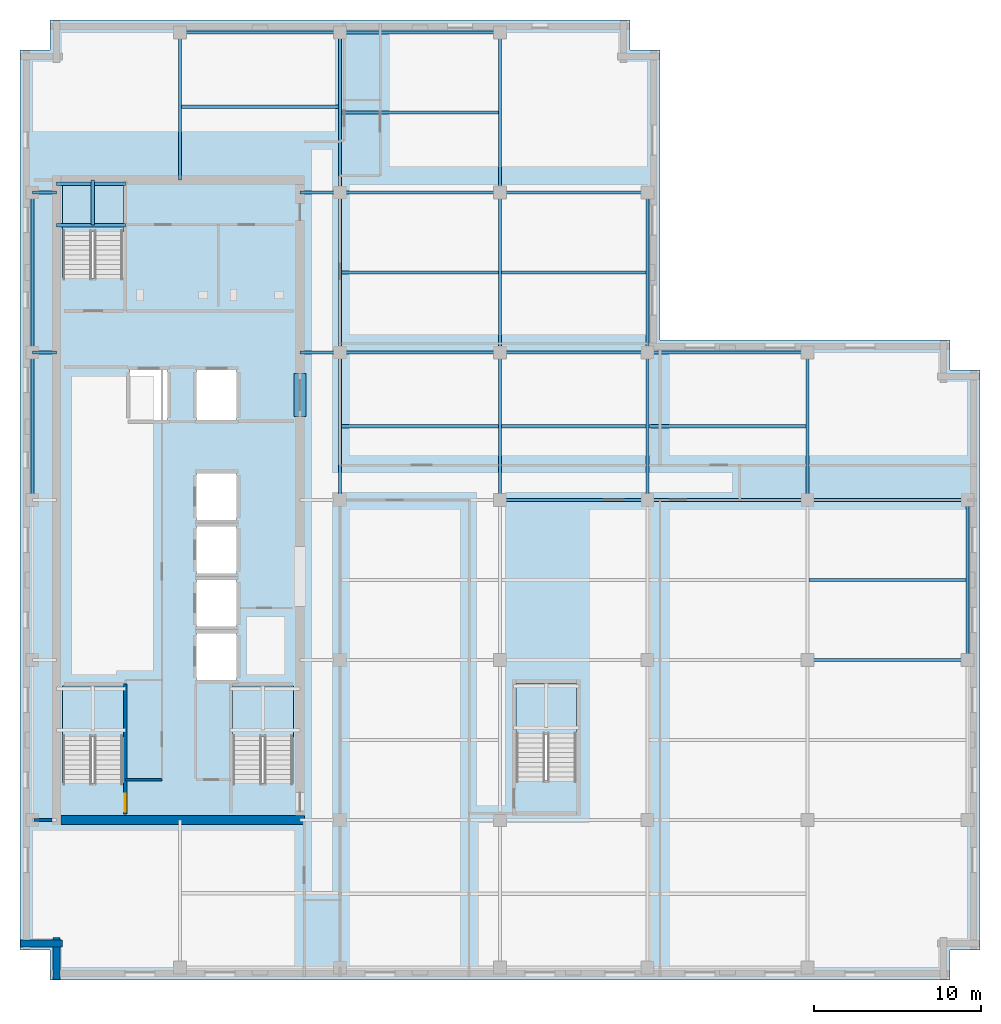
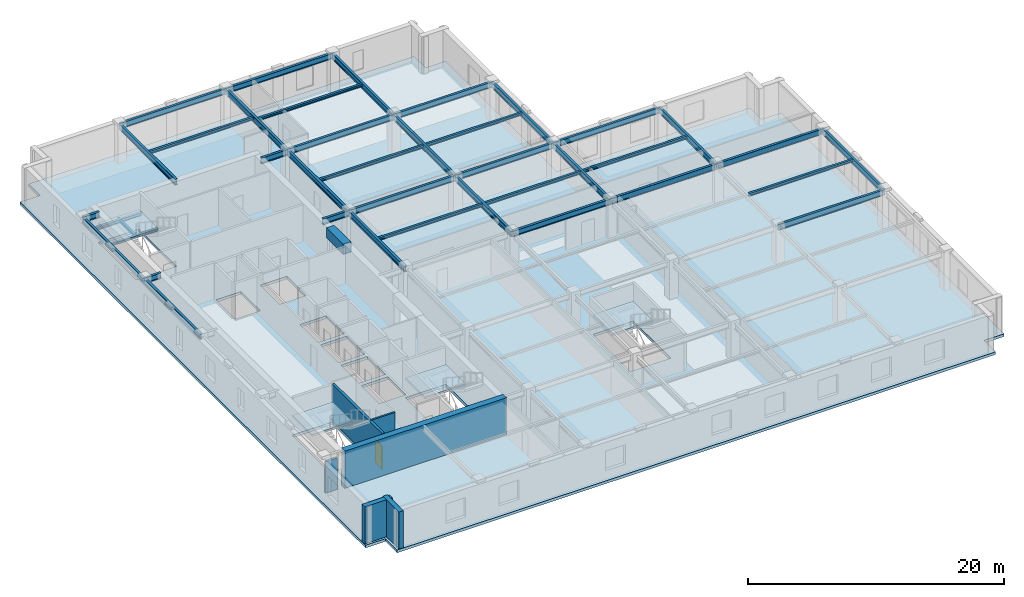
# One storey, part 2 of 12: 40 beams, 6 walls, 5 slabs, 1 door, 1 opening, 4 elements without a shape of their own.
"""IFC4 building model written with IfcOpenShell, lengths in metres."""

from ifc_helpers import new_model, si_unit, direction, frame, frame_2d, origin, origin_2d, place, context, subcontext, project, spatial, polyline, rectangle, i_section, outline, extrude, material, layer, layer_set, material_profile, profile_set, type_object, element, fill, aggregate, save


model = new_model("IFC4")

# Units and contexts
model_context = context("Model", 3, precision=1e-05, world=origin(), true_north=direction((0.0, 1.0)))
body_context = subcontext(model_context, "Body", "Model", "MODEL_VIEW")
ifc_project = project(units=[si_unit("LENGTHUNIT", "METRE"), si_unit("AREAUNIT", "SQUARE_METRE"), si_unit("VOLUMEUNIT", "CUBIC_METRE"), si_unit("PLANEANGLEUNIT", "RADIAN"), si_unit("MASSUNIT", "GRAM", prefix="KILO")], contexts=[model_context])

# Site, building, storey
site_placement = place(None, origin())
site = spatial("IfcSite", under=ifc_project, at=site_placement, CompositionType="ELEMENT")
building_placement = place(site_placement, origin())
building = spatial("IfcBuilding", under=site, at=building_placement, Name="Norrvale University Quadrangle", CompositionType="ELEMENT")
storey_placement = place(building_placement, frame((0.0, 0.0, 244.60009765625)))
storey = spatial("IfcBuildingStorey", under=building, at=storey_placement, Name="L62", CompositionType="ELEMENT", Elevation=244.60009765625)

# Beams
ifc_material_1 = material(Name="Concrete C80/95", Category="concrete")
ifc_material_profile_1 = material_profile(ifc_material_1, rectangle(XDim=0.699951171875, YDim=0.949951171875, at=origin_2d()), Name="Concrete C80/95")
ifc_profile_set_1 = profile_set([ifc_material_profile_1], Name="Concrete C80/95")
beam_type_1 = type_object("IfcBeamType", Name="Beam Core Link 700x950", PredefinedType="LINTEL", material=ifc_profile_set_1)
beam_1_placement = place(storey_placement, frame((16.800048828125, 33.800048828125, 3.06494140625), z_axis=(0.0, 1.0, 0.0), x_axis=(-1.0, 0.0, 0.0)))
element("IfcBeam", 1, at=beam_1_placement, inside=storey, type_object=beam_type_1, Name="Core Coupling Lintel Beam L62-2", PredefinedType="LINTEL", context=body_context, shape_type="SweptSolid", body=[
    extrude(rectangle(XDim=0.699951171875, YDim=0.949951171875, at=origin_2d()), origin(), (0.0, 0.0, 1.0), 2.599853515625),
])
ifc_material_2 = material(Name="Steel 350W", Category="steel")
ifc_material_profile_2 = material_profile(ifc_material_2, i_section(OverallWidth=0.208984375, OverallDepth=0.532958984375, WebThickness=0.01025390625, FlangeThickness=0.015625, FilletRadius=0.013916015625, at=origin_2d()), Name="Steel 350W")
ifc_profile_set_2 = profile_set([ifc_material_profile_2], Name="Steel 350W")
beam_type_2 = type_object("IfcBeamType", Name="Beam Floor W530x92", PredefinedType="JOIST", material=ifc_profile_set_2)
beam_2_placement = place(storey_placement, frame((47.25, 19.199951171875, 3.2734375), z_axis=(1.0, 0.0, 0.0), x_axis=(0.0, 1.0, 0.0)))
element("IfcBeam", 2, at=beam_2_placement, inside=storey, type_object=beam_type_2, Name="Beam Floor W530x92 BM-L62-GX012", PredefinedType="JOIST", context=body_context, shape_type="SweptSolid", body=[
    extrude(i_section(OverallWidth=0.208984375, OverallDepth=0.532958984375, WebThickness=0.01025390625, FlangeThickness=0.015625, FilletRadius=0.013916015625, at=origin_2d()), origin(), (0.0, 0.0, 1.0), 9.60009765625),
])
beam_3_placement = place(storey_placement, frame((28.800048828125, 28.800048828125, 3.2734375), z_axis=(1.0, 0.0, 0.0), x_axis=(0.0, 1.0, 0.0)))
element("IfcBeam", 3, at=beam_3_placement, inside=storey, type_object=beam_type_2, Name="Beam Floor W530x92 BM-L62-GX014", PredefinedType="JOIST", context=body_context, shape_type="SweptSolid", body=[
    extrude(i_section(OverallWidth=0.208984375, OverallDepth=0.532958984375, WebThickness=0.01025390625, FlangeThickness=0.015625, FilletRadius=0.013916015625, at=origin_2d()), origin(), (0.0, 0.0, 1.0), 8.849853515625),
])
for number, where, z_axis, x_axis, name in (
    (4, (37.64990234375, 28.800048828125, 3.2734375), (1.0, 0.0, 0.0), (0.0, 1.0, 0.0), "Beam Floor W530x92 BM-L62-GX015"),
    (5, (47.25, 28.800048828125, 3.2734375), (1.0, 0.0, 0.0), (0.0, 1.0, 0.0), "Beam Floor W530x92 BM-L62-GX016"),
    (6, (19.199951171875, 37.64990234375, 3.2734375), (1.0, 0.0, 0.0), (0.0, 1.0, 0.0), "Beam Floor W530x92 BM-L62-GX017"),
):
    element("IfcBeam", number, at=place(storey_placement, frame(where, z_axis=z_axis, x_axis=x_axis)), inside=storey, type_object=beam_type_2, Name=name, PredefinedType="JOIST", context=body_context, shape_type="SweptSolid", body=[
        extrude(i_section(OverallWidth=0.208984375, OverallDepth=0.532958984375, WebThickness=0.01025390625, FlangeThickness=0.015625, FilletRadius=0.013916015625, at=origin_2d()), origin(), (0.0, 0.0, 1.0), 9.60009765625),
    ])
beam_4_placement = place(storey_placement, frame((28.800048828125, 37.64990234375, 3.2734375), z_axis=(1.0, 0.0, 0.0), x_axis=(0.0, 1.0, 0.0)))
element("IfcBeam", 7, at=beam_4_placement, inside=storey, type_object=beam_type_2, Name="Beam Floor W530x92 BM-L62-GX018", PredefinedType="JOIST", context=body_context, shape_type="SweptSolid", body=[
    extrude(i_section(OverallWidth=0.208984375, OverallDepth=0.532958984375, WebThickness=0.01025390625, FlangeThickness=0.015625, FilletRadius=0.013916015625, at=origin_2d()), origin(), (0.0, 0.0, 1.0), 8.849853515625),
])
for number, where, z_axis, x_axis, name in (
    (8, (37.64990234375, 37.64990234375, 3.2734375), (1.0, 0.0, 0.0), (0.0, 1.0, 0.0), "Beam Floor W530x92 BM-L62-GX019"),
    (9, (19.199951171875, 47.25, 3.2734375), (1.0, 0.0, 0.0), (0.0, 1.0, 0.0), "Beam Floor W530x92 BM-L62-GX020"),
):
    element("IfcBeam", number, at=place(storey_placement, frame(where, z_axis=z_axis, x_axis=x_axis)), inside=storey, type_object=beam_type_2, Name=name, PredefinedType="JOIST", context=body_context, shape_type="SweptSolid", body=[
        extrude(i_section(OverallWidth=0.208984375, OverallDepth=0.532958984375, WebThickness=0.01025390625, FlangeThickness=0.015625, FilletRadius=0.013916015625, at=origin_2d()), origin(), (0.0, 0.0, 1.0), 9.60009765625),
    ])
beam_5_placement = place(storey_placement, frame((28.800048828125, 47.25, 3.2734375), z_axis=(1.0, 0.0, 0.0), x_axis=(0.0, 1.0, 0.0)))
element("IfcBeam", 10, at=beam_5_placement, inside=storey, type_object=beam_type_2, Name="Beam Floor W530x92 BM-L62-GX021", PredefinedType="JOIST", context=body_context, shape_type="SweptSolid", body=[
    extrude(i_section(OverallWidth=0.208984375, OverallDepth=0.532958984375, WebThickness=0.01025390625, FlangeThickness=0.015625, FilletRadius=0.013916015625, at=origin_2d()), origin(), (0.0, 0.0, 1.0), 8.849853515625),
])
beam_6_placement = place(storey_placement, frame((9.60009765625, 56.85009765625, 3.2734375), z_axis=(1.0, 0.0, 0.0), x_axis=(0.0, 1.0, 0.0)))
element("IfcBeam", 11, at=beam_6_placement, inside=storey, type_object=beam_type_2, Name="Beam Floor W530x92 BM-L62-GX022", PredefinedType="JOIST", context=body_context, shape_type="SweptSolid", body=[
    extrude(i_section(OverallWidth=0.208984375, OverallDepth=0.532958984375, WebThickness=0.01025390625, FlangeThickness=0.015625, FilletRadius=0.013916015625, at=origin_2d()), origin(), (0.0, 0.0, 1.0), 9.599853515625),
])
beam_7_placement = place(storey_placement, frame((19.199951171875, 56.85009765625, 3.2734375), z_axis=(1.0, 0.0, 0.0), x_axis=(0.0, 1.0, 0.0)))
element("IfcBeam", 12, at=beam_7_placement, inside=storey, type_object=beam_type_2, Name="Beam Floor W530x92 BM-L62-GX023", PredefinedType="JOIST", context=body_context, shape_type="SweptSolid", body=[
    extrude(i_section(OverallWidth=0.208984375, OverallDepth=0.532958984375, WebThickness=0.01025390625, FlangeThickness=0.015625, FilletRadius=0.013916015625, at=origin_2d()), origin(), (0.0, 0.0, 1.0), 9.60009765625),
])
beam_8_placement = place(storey_placement, frame((0.75, 28.800048828125, 3.2734375), z_axis=(0.0, 1.0, 0.0), x_axis=(-1.0, 0.0, 0.0)))
element("IfcBeam", 13, at=beam_8_placement, inside=storey, type_object=beam_type_2, Name="Beam Floor W530x92 BM-L62-GY026", PredefinedType="JOIST", context=body_context, shape_type="SweptSolid", body=[
    extrude(i_section(OverallWidth=0.208984375, OverallDepth=0.532958984375, WebThickness=0.01025390625, FlangeThickness=0.015625, FilletRadius=0.013916015625, at=origin_2d()), origin(), (0.0, 0.0, 1.0), 8.849853515625),
])
beam_9_placement = place(storey_placement, frame((0.75, 37.64990234375, 3.2734375), z_axis=(0.0, 1.0, 0.0), x_axis=(-1.0, 0.0, 0.0)))
element("IfcBeam", 14, at=beam_9_placement, inside=storey, type_object=beam_type_2, Name="Beam Floor W530x92 BM-L62-GY027", PredefinedType="JOIST", context=body_context, shape_type="SweptSolid", body=[
    extrude(i_section(OverallWidth=0.208984375, OverallDepth=0.532958984375, WebThickness=0.01025390625, FlangeThickness=0.015625, FilletRadius=0.013916015625, at=origin_2d()), origin(), (0.0, 0.0, 1.0), 9.60009765625),
])
beam_10_placement = place(storey_placement, frame((19.199951171875, 28.800048828125, 3.2734375), z_axis=(0.0, 1.0, 0.0), x_axis=(-1.0, 0.0, 0.0)))
element("IfcBeam", 15, at=beam_10_placement, inside=storey, type_object=beam_type_2, Name="Beam Floor W530x92 BM-L62-GY031", PredefinedType="JOIST", context=body_context, shape_type="SweptSolid", body=[
    extrude(i_section(OverallWidth=0.208984375, OverallDepth=0.532958984375, WebThickness=0.01025390625, FlangeThickness=0.015625, FilletRadius=0.013916015625, at=origin_2d()), origin(), (0.0, 0.0, 1.0), 8.849853515625),
])
for number, where, z_axis, x_axis, name in (
    (16, (19.199951171875, 37.64990234375, 3.2734375), (0.0, 1.0, 0.0), (-1.0, 0.0, 0.0), "Beam Floor W530x92 BM-L62-GY032"),
    (17, (19.199951171875, 47.25, 3.2734375), (0.0, 1.0, 0.0), (-1.0, 0.0, 0.0), "Beam Floor W530x92 BM-L62-GY033"),
):
    element("IfcBeam", number, at=place(storey_placement, frame(where, z_axis=z_axis, x_axis=x_axis)), inside=storey, type_object=beam_type_2, Name=name, PredefinedType="JOIST", context=body_context, shape_type="SweptSolid", body=[
        extrude(i_section(OverallWidth=0.208984375, OverallDepth=0.532958984375, WebThickness=0.01025390625, FlangeThickness=0.015625, FilletRadius=0.013916015625, at=origin_2d()), origin(), (0.0, 0.0, 1.0), 9.60009765625),
    ])
beam_11_placement = place(storey_placement, frame((28.800048828125, 28.800048828125, 3.2734375), z_axis=(0.0, 1.0, 0.0), x_axis=(-1.0, 0.0, 0.0)))
element("IfcBeam", 18, at=beam_11_placement, inside=storey, type_object=beam_type_2, Name="Beam Floor W530x92 BM-L62-GY037", PredefinedType="JOIST", context=body_context, shape_type="SweptSolid", body=[
    extrude(i_section(OverallWidth=0.208984375, OverallDepth=0.532958984375, WebThickness=0.01025390625, FlangeThickness=0.015625, FilletRadius=0.013916015625, at=origin_2d()), origin(), (0.0, 0.0, 1.0), 8.849853515625),
])
for number, where, z_axis, x_axis, name in (
    (19, (28.800048828125, 37.64990234375, 3.2734375), (0.0, 1.0, 0.0), (-1.0, 0.0, 0.0), "Beam Floor W530x92 BM-L62-GY038"),
    (20, (28.800048828125, 47.25, 3.2734375), (0.0, 1.0, 0.0), (-1.0, 0.0, 0.0), "Beam Floor W530x92 BM-L62-GY039"),
):
    element("IfcBeam", number, at=place(storey_placement, frame(where, z_axis=z_axis, x_axis=x_axis)), inside=storey, type_object=beam_type_2, Name=name, PredefinedType="JOIST", context=body_context, shape_type="SweptSolid", body=[
        extrude(i_section(OverallWidth=0.208984375, OverallDepth=0.532958984375, WebThickness=0.01025390625, FlangeThickness=0.015625, FilletRadius=0.013916015625, at=origin_2d()), origin(), (0.0, 0.0, 1.0), 9.60009765625),
    ])
beam_12_placement = place(storey_placement, frame((37.64990234375, 28.800048828125, 3.2734375), z_axis=(0.0, 1.0, 0.0), x_axis=(-1.0, 0.0, 0.0)))
element("IfcBeam", 21, at=beam_12_placement, inside=storey, type_object=beam_type_2, Name="Beam Floor W530x92 BM-L62-GY043", PredefinedType="JOIST", context=body_context, shape_type="SweptSolid", body=[
    extrude(i_section(OverallWidth=0.208984375, OverallDepth=0.532958984375, WebThickness=0.01025390625, FlangeThickness=0.015625, FilletRadius=0.013916015625, at=origin_2d()), origin(), (0.0, 0.0, 1.0), 8.849853515625),
])
beam_13_placement = place(storey_placement, frame((37.64990234375, 37.64990234375, 3.2734375), z_axis=(0.0, 1.0, 0.0), x_axis=(-1.0, 0.0, 0.0)))
element("IfcBeam", 22, at=beam_13_placement, inside=storey, type_object=beam_type_2, Name="Beam Floor W530x92 BM-L62-GY044", PredefinedType="JOIST", context=body_context, shape_type="SweptSolid", body=[
    extrude(i_section(OverallWidth=0.208984375, OverallDepth=0.532958984375, WebThickness=0.01025390625, FlangeThickness=0.015625, FilletRadius=0.013916015625, at=origin_2d()), origin(), (0.0, 0.0, 1.0), 9.60009765625),
])
beam_14_placement = place(storey_placement, frame((47.25, 28.800048828125, 3.2734375), z_axis=(0.0, 1.0, 0.0), x_axis=(-1.0, 0.0, 0.0)))
element("IfcBeam", 23, at=beam_14_placement, inside=storey, type_object=beam_type_2, Name="Beam Floor W530x92 BM-L62-GY048", PredefinedType="JOIST", context=body_context, shape_type="SweptSolid", body=[
    extrude(i_section(OverallWidth=0.208984375, OverallDepth=0.532958984375, WebThickness=0.01025390625, FlangeThickness=0.015625, FilletRadius=0.013916015625, at=origin_2d()), origin(), (0.0, 0.0, 1.0), 8.849853515625),
])
beam_15_placement = place(storey_placement, frame((56.85009765625, 19.199951171875, 3.2734375), z_axis=(0.0, 1.0, 0.0), x_axis=(-1.0, 0.0, 0.0)))
element("IfcBeam", 24, at=beam_15_placement, inside=storey, type_object=beam_type_2, Name="Beam Floor W530x92 BM-L62-GY050", PredefinedType="JOIST", context=body_context, shape_type="SweptSolid", body=[
    extrude(i_section(OverallWidth=0.208984375, OverallDepth=0.532958984375, WebThickness=0.01025390625, FlangeThickness=0.015625, FilletRadius=0.013916015625, at=origin_2d()), origin(), (0.0, 0.0, 1.0), 9.60009765625),
])
beam_16_placement = place(storey_placement, frame((0.75, 37.64990234375, 3.2734375), z_axis=(1.0, 0.0, 0.0), x_axis=(0.0, 1.0, 0.0)))
element("IfcBeam", 25, at=beam_16_placement, inside=storey, type_object=beam_type_2, Name="Beam Floor W530x92 BM-L62-GCW057", PredefinedType="JOIST", context=body_context, shape_type="SweptSolid", body=[
    extrude(i_section(OverallWidth=0.208984375, OverallDepth=0.532958984375, WebThickness=0.01025390625, FlangeThickness=0.015625, FilletRadius=0.013916015625, at=origin_2d()), origin(), (0.0, 0.0, 1.0), 1.449951171875),
])
beam_17_placement = place(storey_placement, frame((16.800048828125, 37.64990234375, 3.2734375), z_axis=(1.0, 0.0, 0.0), x_axis=(0.0, 1.0, 0.0)))
element("IfcBeam", 26, at=beam_17_placement, inside=storey, type_object=beam_type_2, Name="Beam Floor W530x92 BM-L62-GCE058", PredefinedType="JOIST", context=body_context, shape_type="SweptSolid", body=[
    extrude(i_section(OverallWidth=0.208984375, OverallDepth=0.532958984375, WebThickness=0.01025390625, FlangeThickness=0.015625, FilletRadius=0.013916015625, at=origin_2d()), origin(), (0.0, 0.0, 1.0), 2.39990234375),
])
beam_18_placement = place(storey_placement, frame((0.75, 47.25, 3.2734375), z_axis=(1.0, 0.0, 0.0), x_axis=(0.0, 1.0, 0.0)))
element("IfcBeam", 27, at=beam_18_placement, inside=storey, type_object=beam_type_2, Name="Beam Floor W530x92 BM-L62-GCW059", PredefinedType="JOIST", context=body_context, shape_type="SweptSolid", body=[
    extrude(i_section(OverallWidth=0.208984375, OverallDepth=0.532958984375, WebThickness=0.01025390625, FlangeThickness=0.015625, FilletRadius=0.013916015625, at=origin_2d()), origin(), (0.0, 0.0, 1.0), 1.449951171875),
])
beam_19_placement = place(storey_placement, frame((16.800048828125, 47.25, 3.2734375), z_axis=(1.0, 0.0, 0.0), x_axis=(0.0, 1.0, 0.0)))
element("IfcBeam", 28, at=beam_19_placement, inside=storey, type_object=beam_type_2, Name="Beam Floor W530x92 BM-L62-GCE060", PredefinedType="JOIST", context=body_context, shape_type="SweptSolid", body=[
    extrude(i_section(OverallWidth=0.208984375, OverallDepth=0.532958984375, WebThickness=0.01025390625, FlangeThickness=0.015625, FilletRadius=0.013916015625, at=origin_2d()), origin(), (0.0, 0.0, 1.0), 2.39990234375),
])
beam_20_placement = place(storey_placement, frame((9.60009765625, 48.0, 3.2734375), z_axis=(0.0, 1.0, 0.0), x_axis=(-1.0, 0.0, 0.0)))
element("IfcBeam", 29, at=beam_20_placement, inside=storey, type_object=beam_type_2, Name="Beam Floor W530x92 BM-L62-GCN079", PredefinedType="JOIST", context=body_context, shape_type="SweptSolid", body=[
    extrude(i_section(OverallWidth=0.208984375, OverallDepth=0.532958984375, WebThickness=0.01025390625, FlangeThickness=0.015625, FilletRadius=0.013916015625, at=origin_2d()), origin(), (0.0, 0.0, 1.0), 8.85009765625),
])
ifc_material_profile_3 = material_profile(ifc_material_2, i_section(OverallWidth=0.201904296875, OverallDepth=0.2470703125, WebThickness=0.00732421875, FlangeThickness=0.010986328125, FilletRadius=0.011962890625, at=origin_2d()), Name="Steel 350W")
ifc_profile_set_3 = profile_set([ifc_material_profile_3], Name="Steel 350W")
beam_type_3 = type_object("IfcBeamType", Name="Beam Stair W250x49", PredefinedType="BEAM", material=ifc_profile_set_3)
for number, where, z_axis, x_axis, name in (
    (30, (19.304443359375, 33.22509765625, 3.41650390625), (1.0, 0.0, 0.0), (0.0, 1.0, 0.0), "Beam Stair W250x49 BM-L62-J064"),
    (31, (19.304443359375, 42.449951171875, 3.41650390625), (1.0, 0.0, 0.0), (0.0, 1.0, 0.0), "Beam Stair W250x49 BM-L62-J065"),
    (32, (19.304443359375, 52.050048828125, 3.41650390625), (1.0, 0.0, 0.0), (0.0, 1.0, 0.0), "Beam Stair W250x49 BM-L62-J066"),
):
    element("IfcBeam", number, at=place(storey_placement, frame(where, z_axis=z_axis, x_axis=x_axis)), inside=storey, type_object=beam_type_3, Name=name, PredefinedType="BEAM", context=body_context, shape_type="SweptSolid", body=[
        extrude(i_section(OverallWidth=0.201904296875, OverallDepth=0.2470703125, WebThickness=0.00732421875, FlangeThickness=0.010986328125, FilletRadius=0.011962890625, at=origin_2d()), origin(), (0.0, 0.0, 1.0), 9.39111328125),
    ])
for number, where, z_axis, x_axis, name in (
    (33, (28.904541015625, 33.22509765625, 3.41650390625), (1.0, 0.0, 0.0), (0.0, 1.0, 0.0), "Beam Stair W250x49 BM-L62-J069"),
    (34, (28.904541015625, 42.449951171875, 3.41650390625), (1.0, 0.0, 0.0), (0.0, 1.0, 0.0), "Beam Stair W250x49 BM-L62-J070"),
):
    element("IfcBeam", number, at=place(storey_placement, frame(where, z_axis=z_axis, x_axis=x_axis)), inside=storey, type_object=beam_type_3, Name=name, PredefinedType="BEAM", context=body_context, shape_type="SweptSolid", body=[
        extrude(i_section(OverallWidth=0.201904296875, OverallDepth=0.2470703125, WebThickness=0.00732421875, FlangeThickness=0.010986328125, FilletRadius=0.011962890625, at=origin_2d()), origin(), (0.0, 0.0, 1.0), 8.640869140625),
    ])
for number, where, z_axis, x_axis, name in (
    (35, (37.75439453125, 33.22509765625, 3.41650390625), (1.0, 0.0, 0.0), (0.0, 1.0, 0.0), "Beam Stair W250x49 BM-L62-J074"),
    (36, (47.3544921875, 24.0, 3.41650390625), (1.0, 0.0, 0.0), (0.0, 1.0, 0.0), "Beam Stair W250x49 BM-L62-J076"),
):
    element("IfcBeam", number, at=place(storey_placement, frame(where, z_axis=z_axis, x_axis=x_axis)), inside=storey, type_object=beam_type_3, Name=name, PredefinedType="BEAM", context=body_context, shape_type="SweptSolid", body=[
        extrude(i_section(OverallWidth=0.201904296875, OverallDepth=0.2470703125, WebThickness=0.00732421875, FlangeThickness=0.010986328125, FilletRadius=0.011962890625, at=origin_2d()), origin(), (0.0, 0.0, 1.0), 9.39111328125),
    ])
beam_21_placement = place(storey_placement, frame((9.70458984375, 52.39990234375, 3.41650390625), z_axis=(1.0, 0.0, 0.0), x_axis=(0.0, 1.0, 0.0)))
element("IfcBeam", 37, at=beam_21_placement, inside=storey, type_object=beam_type_3, Name="Beam Stair W250x49 BM-L62-JCN080", PredefinedType="BEAM", context=body_context, shape_type="SweptSolid", body=[
    extrude(i_section(OverallWidth=0.201904296875, OverallDepth=0.2470703125, WebThickness=0.00732421875, FlangeThickness=0.010986328125, FilletRadius=0.011962890625, at=origin_2d()), origin(), (0.0, 0.0, 1.0), 9.390869140625),
])
for number, where, z_axis, x_axis, name in (
    (38, (2.199951171875, 45.2900390625, 1.576416015625), (1.0, 0.0, 0.0), (0.0, 1.0, 0.0), "Stair Mid-Landing Front Beam ST-02 L62"),
    (39, (2.199951171875, 47.77001953125, 1.576416015625), (1.0, 0.0, 0.0), (0.0, 1.0, 0.0), "Stair Mid-Landing Rear Beam ST-02 L62"),
):
    element("IfcBeam", number, at=place(storey_placement, frame(where, z_axis=z_axis, x_axis=x_axis)), inside=storey, type_object=beam_type_3, Name=name, PredefinedType="BEAM", context=body_context, shape_type="SweptSolid", body=[
        extrude(i_section(OverallWidth=0.201904296875, OverallDepth=0.2470703125, WebThickness=0.00732421875, FlangeThickness=0.010986328125, FilletRadius=0.011962890625, at=origin_2d()), origin(), (0.0, 0.0, 1.0), 4.14013671875),
    ])
ifc_material_profile_4 = material_profile(ifc_material_2, i_section(OverallWidth=0.202880859375, OverallDepth=0.202880859375, WebThickness=0.007080078125, FlangeThickness=0.010986328125, FilletRadius=0.010009765625, at=origin_2d()), Name="Steel 350W")
ifc_profile_set_4 = profile_set([ifc_material_profile_4], Name="Steel 350W")
beam_type_4 = type_object("IfcBeamType", Name="Beam Trim W200x46", PredefinedType="BEAM", material=ifc_profile_set_4)
beam_22_placement = place(storey_placement, frame((4.375, 45.2900390625, 1.598388671875), z_axis=(0.0, 1.0, 0.0), x_axis=(-1.0, 0.0, 0.0)))
element("IfcBeam", 40, at=beam_22_placement, inside=storey, type_object=beam_type_4, Name="Stair Mid-Landing Cross Beam ST-02 L62", PredefinedType="BEAM", context=body_context, shape_type="SweptSolid", body=[
    extrude(i_section(OverallWidth=0.202880859375, OverallDepth=0.202880859375, WebThickness=0.007080078125, FlangeThickness=0.010986328125, FilletRadius=0.010009765625, at=origin_2d()), origin(), (0.0, 0.0, 1.0), 2.7099609375),
])

# Stair, slab
ifc_material_3 = material(Name="Concrete C40/50", Category="concrete")
stair_type = type_object("IfcStairType", Name="Stair Tower Typ 3800", PredefinedType="TWO_STRAIGHT_RUN_STAIR", material=ifc_material_3)
stair_1_placement = place(storey_placement, origin())
stair_1 = element("IfcStair", 41, at=stair_1_placement, inside=storey, type_object=stair_type, Name="Exit Stair ST-01 L62", PredefinedType="TWO_STRAIGHT_RUN_STAIR")
ifc_layer_1 = layer(ifc_material_3, 0.199951171875, Name="Concrete C40/50")
ifc_layer_set_1 = layer_set([ifc_layer_1], Name="Concrete C40/50")
slab_type_1 = type_object("IfcSlabType", Name="Slab Landing 200", PredefinedType="LANDING", material=ifc_layer_set_1)
slab_1_placement = place(storey_placement, frame((0.0, 0.0, 1.699951171875)))
slab_1 = element("IfcSlab", 42, at=slab_1_placement, type_object=slab_type_1, Name="Exit Stair ST-01 L62 Mid Landing", PredefinedType="LANDING", context=body_context, shape_type="SweptSolid", body=[
    extrude(outline(polyline([(2.550048828125, 14.590087890625), (6.199951171875, 14.590087890625), (6.199951171875, 17.64990234375), (2.550048828125, 17.64990234375), (2.550048828125, 14.590087890625)])), origin(), (0.0, 0.0, 1.0), 0.199951171875),
])
aggregate(stair_1, [slab_1])

stair_2_placement = place(storey_placement, origin())
stair_2 = element("IfcStair", 43, at=stair_2_placement, inside=storey, type_object=stair_type, Name="Exit Stair ST-02 L62", PredefinedType="TWO_STRAIGHT_RUN_STAIR")
slab_2_placement = place(storey_placement, frame((0.0, 0.0, 1.699951171875)))
slab_2 = element("IfcSlab", 44, at=slab_2_placement, type_object=slab_type_1, Name="Exit Stair ST-02 L62 Mid Landing", PredefinedType="LANDING", context=body_context, shape_type="SweptSolid", body=[
    extrude(outline(polyline([(2.550048828125, 44.889892578125), (6.199951171875, 44.889892578125), (6.199951171875, 47.949951171875), (2.550048828125, 47.949951171875), (2.550048828125, 44.889892578125)])), origin(), (0.0, 0.0, 1.0), 0.199951171875),
])
aggregate(stair_2, [slab_2])

stair_3_placement = place(storey_placement, origin())
stair_3 = element("IfcStair", 45, at=stair_3_placement, inside=storey, type_object=stair_type, Name="Exit Stair ST-03 L62", PredefinedType="TWO_STRAIGHT_RUN_STAIR")
slab_3_placement = place(storey_placement, frame((0.0, 0.0, 1.699951171875)))
slab_3 = element("IfcSlab", 46, at=slab_3_placement, type_object=slab_type_1, Name="Exit Stair ST-03 L62 Mid Landing", PredefinedType="LANDING", context=body_context, shape_type="SweptSolid", body=[
    extrude(outline(polyline([(12.75, 14.590087890625), (16.39990234375, 14.590087890625), (16.39990234375, 17.64990234375), (12.75, 17.64990234375), (12.75, 14.590087890625)])), origin(), (0.0, 0.0, 1.0), 0.199951171875),
])
aggregate(stair_3, [slab_3])

stair_4_placement = place(storey_placement, origin())
stair_4 = element("IfcStair", 47, at=stair_4_placement, inside=storey, type_object=stair_type, Name="Exit Stair ST-04 L62", PredefinedType="TWO_STRAIGHT_RUN_STAIR")
slab_4_placement = place(storey_placement, frame((0.0, 0.0, 1.699951171875)))
slab_4 = element("IfcSlab", 48, at=slab_4_placement, type_object=slab_type_1, Name="Exit Stair ST-04 L62 Mid Landing", PredefinedType="LANDING", context=body_context, shape_type="SweptSolid", body=[
    extrude(outline(polyline([(29.75, 14.739990234375), (33.39990234375, 14.739990234375), (33.39990234375, 17.800048828125), (29.75, 17.800048828125), (29.75, 14.739990234375)])), origin(), (0.0, 0.0, 1.0), 0.199951171875),
])
aggregate(stair_4, [slab_4])

# Slab
ifc_layer_2 = layer(ifc_material_3, 0.260009765625, Name="Concrete C40/50")
ifc_layer_set_2 = layer_set([ifc_layer_2], Name="Concrete C40/50")
slab_type_2 = type_object("IfcSlabType", Name="Slab Tower Typ 260", PredefinedType="FLOOR", material=ifc_layer_set_2)
slab_5_placement = place(storey_placement, frame((0.0, 0.0, -0.260009765625)))
element("IfcSlab", 49, at=slab_5_placement, inside=storey, type_object=slab_type_2, Name="Tower L62 Floor Slab", PredefinedType="FLOOR", context=body_context, shape_type="SweptSolid", body=[
    extrude(outline(polyline([(1.800048828125, 0.0), (55.800048828125, 0.0), (55.800048828125, 1.800048828125), (57.60009765625, 1.800048828125), (57.60009765625, 36.60009765625), (55.800048828125, 36.60009765625), (55.800048828125, 38.39990234375), (38.39990234375, 38.39990234375), (38.39990234375, 55.800048828125), (36.60009765625, 55.800048828125), (36.60009765625, 57.60009765625), (1.800048828125, 57.60009765625), (1.800048828125, 55.800048828125), (0.0, 55.800048828125), (0.0, 1.800048828125), (1.800048828125, 1.800048828125), (1.800048828125, 0.0)]), holes=[polyline([(2.550048828125, 11.81005859375), (6.199951171875, 11.81005859375), (6.199951171875, 17.64990234375), (2.550048828125, 17.64990234375), (2.550048828125, 11.81005859375)]), polyline([(2.550048828125, 42.110107421875), (6.199951171875, 42.110107421875), (6.199951171875, 47.949951171875), (2.550048828125, 47.949951171875), (2.550048828125, 42.110107421875)]), polyline([(12.75, 11.81005859375), (16.39990234375, 11.81005859375), (16.39990234375, 17.64990234375), (12.75, 17.64990234375), (12.75, 11.81005859375)]), polyline([(29.75, 11.9599609375), (33.39990234375, 11.9599609375), (33.39990234375, 17.800048828125), (29.75, 17.800048828125), (29.75, 11.9599609375)]), polyline([(10.60009765625, 18.0), (13.0, 18.0), (13.0, 20.800048828125), (10.60009765625, 20.800048828125), (10.60009765625, 18.0)]), polyline([(10.60009765625, 21.199951171875), (13.0, 21.199951171875), (13.0, 24.0), (10.60009765625, 24.0), (10.60009765625, 21.199951171875)]), polyline([(10.60009765625, 24.39990234375), (13.0, 24.39990234375), (13.0, 27.199951171875), (10.60009765625, 27.199951171875), (10.60009765625, 24.39990234375)]), polyline([(10.60009765625, 27.60009765625), (13.0, 27.60009765625), (13.0, 30.39990234375), (10.60009765625, 30.39990234375), (10.60009765625, 27.60009765625)]), polyline([(6.60009765625, 33.60009765625), (8.85009765625, 33.60009765625), (8.85009765625, 36.60009765625), (6.60009765625, 36.60009765625), (6.60009765625, 33.60009765625)]), polyline([(10.60009765625, 33.60009765625), (13.0, 33.60009765625), (13.0, 36.60009765625), (10.60009765625, 36.60009765625), (10.60009765625, 33.60009765625)])]), origin(), (0.0, 0.0, 1.0), 0.260009765625),
])

# Walls
ifc_material_4 = material(Name="Buff Norman Clay Brick Masonry", Category="masonry")
ifc_layer_3 = layer(ifc_material_4, 0.419921875, Name="Buff Norman Clay Brick Masonry")
ifc_layer_set_3 = layer_set([ifc_layer_3], Name="Buff Norman Clay Brick Masonry")
wall_type_1 = type_object("IfcWallType", Name="Wall Buff Brick 420", PredefinedType="SOLIDWALL", material=ifc_layer_set_3)
for number, where, z_axis, x_axis, name in (
    (50, (0.0400390625, 2.18994140625, 0.0), (0.0, 0.0, 1.0), (1.0, 0.0, 0.0), "Exterior Brick Facade Wall L62-15.1"),
    (51, (2.18994140625, 2.5400390625, 0.0), (0.0, 0.0, 1.0), (0.0, -1.0, 0.0), "Exterior Brick Facade Wall L62-16.1"),
):
    element("IfcWall", number, at=place(storey_placement, frame(where, z_axis=z_axis, x_axis=x_axis)), inside=storey, type_object=wall_type_1, Name=name, PredefinedType="SOLIDWALL", context=body_context, shape_type="SweptSolid", body=[
        extrude(rectangle(XDim=2.5, YDim=0.419921875, at=frame_2d((1.25, 0.0))), origin(), (0.0, 0.0, 1.0), 3.539794921875),
    ])
ifc_material_5 = material(Name="Concrete C60/75", Category="concrete")
ifc_layer_4 = layer(ifc_material_5, 0.550048828125, Name="Concrete C60/75")
ifc_layer_set_4 = layer_set([ifc_layer_4], Name="Concrete C60/75")
wall_type_2 = type_object("IfcWallType", Name="Wall Core 550", PredefinedType="SHEAR", material=ifc_layer_set_4)
wall_1_placement = place(storey_placement, frame((2.47509765625, 9.60009765625, 0.0), z_axis=(0.0, 0.0, 1.0), x_axis=(1.0, 0.0, 0.0)))
element("IfcWall", 52, at=wall_1_placement, inside=storey, type_object=wall_type_2, Name="Tower Core Shear Wall L62-S", PredefinedType="SHEAR", context=body_context, shape_type="SweptSolid", body=[
    extrude(rectangle(XDim=14.599853515625, YDim=0.550048828125, at=frame_2d((7.2998046875, 0.0))), origin(), (0.0, 0.0, 1.0), 3.539794921875),
])
ifc_material_6 = material(Name="Fire-Rated Gypsum Stud Partition")
ifc_layer_5 = layer(ifc_material_6, 0.14990234375, Name="Fire-Rated Gypsum Stud Partition")
ifc_layer_set_5 = layer_set([ifc_layer_5], Name="Fire-Rated Gypsum Stud Partition")
wall_type_3 = type_object("IfcWallType", Name="Wall Gypsum Corridor 150", PredefinedType="PARTITIONING", material=ifc_layer_set_5)
wall_2_placement = place(storey_placement, frame((6.320068359375, 12.02001953125, 0.0), z_axis=(0.0, 0.0, 1.0), x_axis=(1.0, 0.0, 0.0)))
element("IfcWall", 53, at=wall_2_placement, inside=storey, type_object=wall_type_3, Name="Interior Partition WL-L62-REC-S", PredefinedType="PARTITIONING", context=body_context, shape_type="SweptSolid", body=[
    extrude(rectangle(XDim=2.199951171875, YDim=0.14990234375, at=frame_2d((1.10009765625, 0.0))), origin(), (0.0, 0.0, 1.0), 3.539794921875),
])
ifc_material_7 = material(Name="Concrete Blockwork 20 MPa Rated Wall", Category="masonry")
ifc_layer_6 = layer(ifc_material_7, 0.199951171875, Name="Concrete Blockwork 20 MPa Rated Wall")
ifc_layer_set_6 = layer_set([ifc_layer_6], Name="Concrete Blockwork 20 MPa Rated Wall")
wall_type_4 = type_object("IfcWallType", Name="Wall Lobby 200", PredefinedType="SOLIDWALL", material=ifc_layer_set_6)
wall_3_placement = place(storey_placement, frame((0.85009765625, 9.60009765625, 0.0), z_axis=(0.0, 0.0, 1.0), x_axis=(1.0, 0.0, 0.0)))
element("IfcWall", 54, at=wall_3_placement, inside=storey, type_object=wall_type_4, Name="Interior Partition WL-L62-CWRET-S", PredefinedType="SOLIDWALL", context=body_context, shape_type="SweptSolid", body=[
    extrude(rectangle(XDim=1.06982421875, YDim=0.199951171875, at=frame_2d((0.534912109375, 0.0))), origin(), (0.0, 0.0, 1.0), 3.0068359375),
])

# Wall, opening, door
ifc_material_8 = material(Name="Concrete Blockwork 20 MPa Fire Shaft", Category="masonry")
ifc_layer_7 = layer(ifc_material_8, 0.219970703125, Name="Concrete Blockwork 20 MPa Fire Shaft")
ifc_layer_set_7 = layer_set([ifc_layer_7], Name="Concrete Blockwork 20 MPa Fire Shaft")
wall_type_5 = type_object("IfcWallType", Name="Wall Shaft 220", PredefinedType="SOLIDWALL", material=ifc_layer_set_7)
wall_4_placement = place(storey_placement, frame((6.31005859375, 9.949951171875, 0.0), z_axis=(0.0, 0.0, 1.0), x_axis=(0.0, 1.0, 0.0)))
wall_4 = element("IfcWall", 55, at=wall_4_placement, inside=storey, type_object=wall_type_5, Name="Stair ST-01 East Shaft Wall L62", PredefinedType="SOLIDWALL", context=body_context, shape_type="SweptSolid", body=[
    extrude(rectangle(XDim=7.81005859375, YDim=0.219970703125, at=frame_2d((3.905029296875, 0.0))), origin(), (0.0, 0.0, 1.0), 3.539794921875),
])
opening_placement = place(wall_4_placement, frame((0.139892578125, 0.0, 0.0)))
opening = element("IfcOpeningElement", 56, at=opening_placement, cuts=wall_4, Name="Opening D02", PredefinedType="OPENING", context=body_context, shape_type="SweptSolid", body=[
    extrude(rectangle(XDim=1.10009765625, YDim=2.199951171875, at=frame_2d((0.550048828125, 1.10009765625))), frame((0.0, 0.1220703125, 0.0), z_axis=(0.0, -1.0, 0.0), x_axis=(1.0, 0.0, 0.0)), (0.0, 0.0, 1.0), 0.243896484375),
])
ifc_material_9 = material(Name="Hollow Steel 350W Fire Door", Category="steel")
door_type = type_object("IfcDoorType", Name="Door Stair Exit 1100x2200", OperationType="NOTDEFINED", PredefinedType="DOOR", material=ifc_material_9)
door_placement = place(opening_placement, origin())
door = element("IfcDoor", 57, at=door_placement, inside=storey, type_object=door_type, Name="Door Stair Exit 1100x2200 DR-L62-ST01", OperationType="SINGLE_SWING_LEFT", OverallHeight=2.199951171875, OverallWidth=1.10009765625, PredefinedType="DOOR", context=body_context, shape_type="SweptSolid", body=[
    extrude(rectangle(XDim=1.10009765625, YDim=2.199951171875, at=frame_2d((0.550048828125, 1.10009765625))), frame((0.0, 0.02490234375, 0.0), z_axis=(0.0, -1.0, 0.0), x_axis=(1.0, 0.0, 0.0)), (0.0, 0.0, 1.0), 0.050048828125),
])
fill(opening, door)

save(model, "model.ifc")
